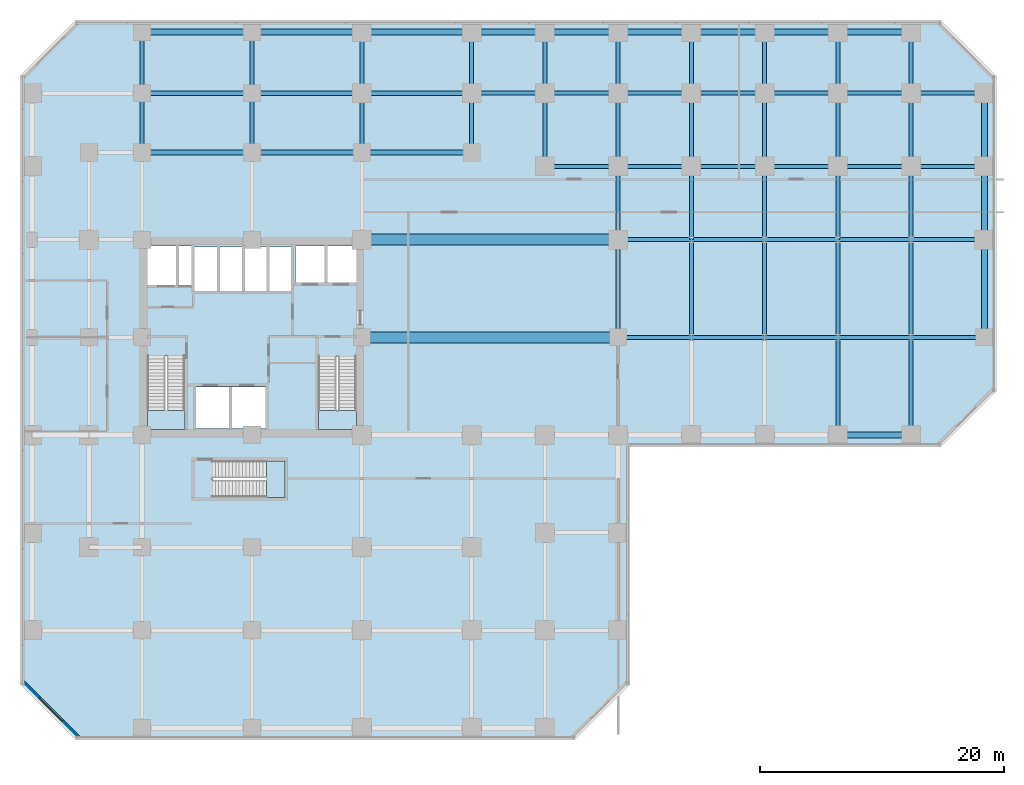
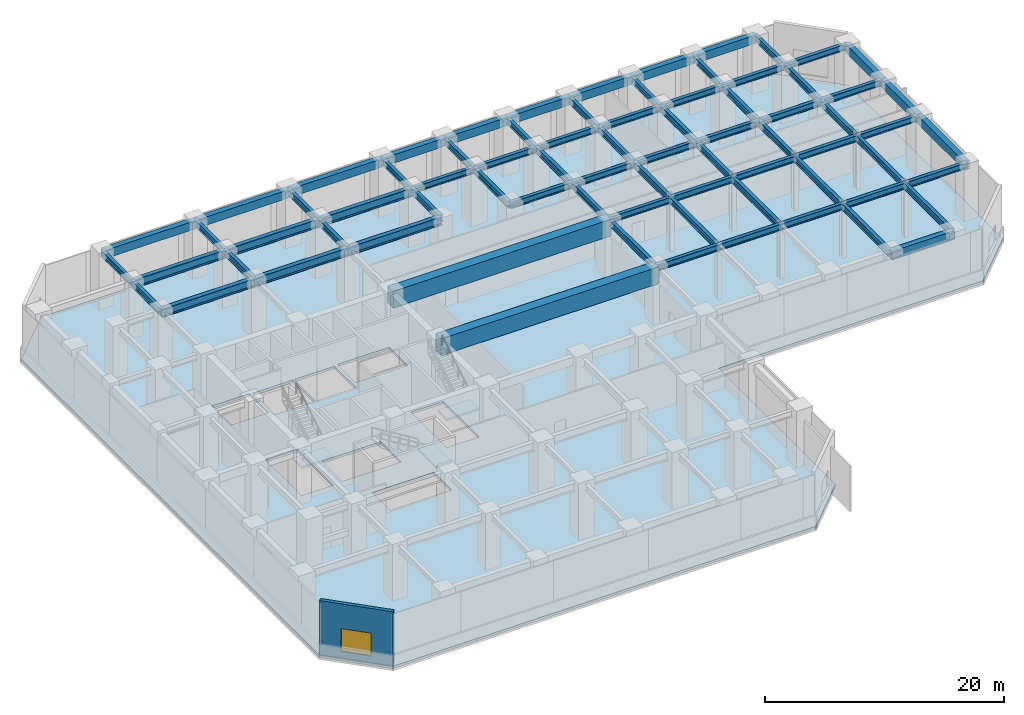
# One storey, part 2 of 12: 76 beams, 4 slabs, 1 wall, 1 window, 1 opening, 3 elements without a shape of their own.
"""IFC4 building model written with IfcOpenShell, lengths in metres."""

import ifcopenshell
import ifcopenshell.guid

model = None  # the IFC model being written
_history = None  # IfcOwnerHistory: only IFC2X3 demands one
_inside = {}  # id of a spatial element -> (the spatial element, [elements in it])
_under = {}  # id of a project, library or spatial element -> (it, [spatial elements below it])
_declared = {}  # id of a project -> (the project, [libraries it declares])
_typed = {}  # id of a type object -> (the type object, [elements of that type])
_made_of = {}  # id of a material, layer set ... -> (it, [elements and type objects made of it])


def new_model(schema):
    """Start an empty IFC model of exactly this schema.

    Asked for "IFC4X3", IfcOpenShell would pick the latest addendum, in which some entities
    have other attributes; the version numbers below select the first issue.
    IFC2X3 requires an IfcOwnerHistory on every rooted entity: one is made here for all.
    """
    global model, _history
    if schema == "IFC4X3":
        model = ifcopenshell.file(schema_version=(4, 3, 0, 0))
    else:
        model = ifcopenshell.file(schema=schema)
    _inside.clear()
    _under.clear()
    _declared.clear()
    _typed.clear()
    _made_of.clear()
    _history = None
    if model.schema == "IFC2X3":
        org = make("IfcOrganization", Name="unknown")
        user = make(
            "IfcPersonAndOrganization",
            ThePerson=make("IfcPerson", FamilyName="unknown"),
            TheOrganization=org,
        )
        app = make(
            "IfcApplication",
            ApplicationDeveloper=org,
            Version="unknown",
            ApplicationFullName="unknown",
            ApplicationIdentifier="unknown",
        )
        _history = make(
            "IfcOwnerHistory",
            OwningUser=user,
            OwningApplication=app,
            ChangeAction="ADDED",
            CreationDate=0,
        )
    return model


def make(cls, **values):
    """One entity of the class cls with the attributes given. An attribute that is None is left unset."""
    return model.create_entity(
        cls, **{name: value for name, value in values.items() if value is not None}
    )


def rooted(cls, **values):
    """An entity with a GlobalId (a new one), such as an element, a storey or a relation."""
    return make(cls, GlobalId=ifcopenshell.guid.new(), OwnerHistory=_history, **values)


def si_unit(unit_type, name, prefix=None):
    """IfcSIUnit, for example si_unit("LENGTHUNIT", "METRE", prefix="MILLI")."""
    return make("IfcSIUnit", UnitType=unit_type, Prefix=prefix, Name=name)


def assignment(units):
    """IfcUnitAssignment: the units of a project."""
    return None if units is None else make("IfcUnitAssignment", Units=units)


def point(xyz):
    """IfcCartesianPoint."""
    return None if xyz is None else make("IfcCartesianPoint", Coordinates=xyz)


def direction(xyz):
    """IfcDirection."""
    return None if xyz is None else make("IfcDirection", DirectionRatios=xyz)


def frame(location, z_axis=None, x_axis=None):
    """IfcAxis2Placement3D, a coordinate frame: its origin and axes. An axis left out is left unset."""
    return make(
        "IfcAxis2Placement3D",
        Location=point(location),
        Axis=direction(z_axis),
        RefDirection=direction(x_axis),
    )


def frame_2d(location, x_axis=None):
    """IfcAxis2Placement2D, a coordinate frame in the plane: its origin and x axis."""
    return make(
        "IfcAxis2Placement2D", Location=point(location), RefDirection=direction(x_axis)
    )


def origin():
    """The frame at (0, 0, 0) with its axes left unset."""
    return frame((0.0, 0.0, 0.0))


def origin_2d():
    """The frame at (0, 0) in the plane with its x axis left unset."""
    return frame_2d((0.0, 0.0))


def place(relative_to, where):
    """IfcLocalPlacement: puts the frame where relative to a parent placement (None: the world)."""
    return make(
        "IfcLocalPlacement", PlacementRelTo=relative_to, RelativePlacement=where
    )


def context(
    kind, dimensions, precision=None, world=None, true_north=None, identifier=None
):
    """IfcGeometricRepresentationContext, for example the 3D "Model" context."""
    return make(
        "IfcGeometricRepresentationContext",
        ContextIdentifier=identifier,
        ContextType=kind,
        CoordinateSpaceDimension=dimensions,
        Precision=precision,
        WorldCoordinateSystem=world,
        TrueNorth=true_north,
    )


def subcontext(parent, identifier, kind, view, scale=None):
    """IfcGeometricRepresentationSubContext, for example "Body" below "Model"."""
    return make(
        "IfcGeometricRepresentationSubContext",
        ContextIdentifier=identifier,
        ContextType=kind,
        ParentContext=parent,
        TargetScale=scale,
        TargetView=view,
    )


def project(units=None, contexts=None):
    """IfcProject with its units and contexts."""
    return rooted(
        "IfcProject",
        Name="project",
        RepresentationContexts=contexts,
        UnitsInContext=assignment(units),
    )


def spatial(cls, under=None, at=None, **own):
    """A site, building, storey or space (cls), placed at a placement, below another one or the project."""
    s = rooted(cls, ObjectPlacement=at, **own)
    if under is not None:
        _under.setdefault(under.id(), (under, []))[1].append(s)
    return s


def polyline(points):
    """IfcPolyline through the points."""
    return make("IfcPolyline", Points=[point(p) for p in points])


def profile(cls, at=None, kind="AREA", **sizes):
    """A parametric profile (cls). Its sizes go by their IFC names, for example OverallWidth=200.0."""
    return make(cls, ProfileType=kind, Position=at, **sizes)


def rectangle(**sizes):
    """IfcRectangleProfileDef."""
    return profile("IfcRectangleProfileDef", **sizes)


def i_section(**sizes):
    """IfcIShapeProfileDef."""
    return profile("IfcIShapeProfileDef", **sizes)


def outline(outer, holes=None, kind="AREA"):
    """IfcArbitraryClosedProfileDef: a profile drawn as a closed curve; with holes, ...WithVoids."""
    if holes is None:
        return make("IfcArbitraryClosedProfileDef", ProfileType=kind, OuterCurve=outer)
    return make(
        "IfcArbitraryProfileDefWithVoids",
        ProfileType=kind,
        OuterCurve=outer,
        InnerCurves=holes,
    )


def extrude(swept, where, along, depth):
    """IfcExtrudedAreaSolid: the profile swept, set in the frame where, extruded along a direction by depth."""
    return make(
        "IfcExtrudedAreaSolid",
        SweptArea=swept,
        Position=where,
        ExtrudedDirection=direction(along),
        Depth=depth,
    )


def shape(context_of_items, identifier, shape_type, items):
    """IfcShapeRepresentation: the items that make up one representation, for example the "Body"."""
    return make(
        "IfcShapeRepresentation",
        ContextOfItems=context_of_items,
        RepresentationIdentifier=identifier,
        RepresentationType=shape_type,
        Items=items,
    )


def source(mapping_origin, context_of_items, identifier, shape_type, items):
    """IfcRepresentationMap: a shape defined once, which mapped items show again and again."""
    return make(
        "IfcRepresentationMap",
        MappingOrigin=mapping_origin,
        MappedRepresentation=shape(context_of_items, identifier, shape_type, items),
    )


def transform(
    local_origin,
    x_axis=None,
    y_axis=None,
    z_axis=None,
    scale=None,
    scale2=None,
    scale3=None,
    uniform=True,
):
    """IfcCartesianTransformationOperator3D, or its non-uniform kind. x_axis, y_axis, z_axis: its Axis1, 2, 3."""
    if uniform:
        return make(
            "IfcCartesianTransformationOperator3D",
            Axis1=direction(x_axis),
            Axis2=direction(y_axis),
            LocalOrigin=point(local_origin),
            Scale=scale,
            Axis3=direction(z_axis),
        )
    return make(
        "IfcCartesianTransformationOperator3DnonUniform",
        Axis1=direction(x_axis),
        Axis2=direction(y_axis),
        LocalOrigin=point(local_origin),
        Scale=scale,
        Axis3=direction(z_axis),
        Scale2=scale2,
        Scale3=scale3,
    )


def mapped(mapping_source, mapping_target):
    """IfcMappedItem: shows the shape of a source again, moved by a transform."""
    return make(
        "IfcMappedItem", MappingSource=mapping_source, MappingTarget=mapping_target
    )


def material(Name=None, Category=None):
    """IfcMaterial."""
    return make("IfcMaterial", Name=Name, Category=Category)


def layer(
    of_material, thickness, ventilated=None, Name=None, Category=None, Priority=None
):
    """IfcMaterialLayer: one layer of a wall or slab, of a material (None: an air gap)."""
    return make(
        "IfcMaterialLayer",
        Material=of_material,
        LayerThickness=thickness,
        IsVentilated=ventilated,
        Name=Name,
        Category=Category,
        Priority=Priority,
    )


def layer_set(layers, Name=None):
    """IfcMaterialLayerSet."""
    return make("IfcMaterialLayerSet", MaterialLayers=layers, LayerSetName=Name)


def material_profile(
    of_material, cross_section, Name=None, Category=None, Priority=None
):
    """IfcMaterialProfile: a cross section and its material."""
    return make(
        "IfcMaterialProfile",
        Name=Name,
        Material=of_material,
        Profile=cross_section,
        Priority=Priority,
        Category=Category,
    )


def profile_set(profiles, Name=None, composite=None):
    """IfcMaterialProfileSet."""
    return make(
        "IfcMaterialProfileSet",
        Name=Name,
        MaterialProfiles=profiles,
        CompositeProfile=composite,
    )


def made_of(thing, what):
    """Note that an element or type object is made of a material, layer set ...; save() writes the relation."""
    if what is not None:
        _made_of.setdefault(what.id(), (what, []))[1].append(thing)
    return thing


def type_object(cls, material=None, **own):
    """A type object (cls), such as IfcWallType, which elements share."""
    return made_of(rooted(cls, **own), material)


def element(
    cls,
    number,
    at=None,
    inside=None,
    cuts=None,
    type_object=None,
    material=None,
    context=None,
    identifier="Body",
    shape_type=None,
    held_by="IfcProductDefinitionShape",
    body=None,
    shapes=None,
    **own,
):
    """One element of the class cls, such as IfcWall. Its Tag is "e" and its number.

    at: its placement. inside: the storey or other place that contains it. cuts: it is an
    opening in that element (IfcRelVoidsElement). A single representation is given by context,
    identifier, shape_type and body (its items); several are given by shapes. held_by: the class
    of the entity that holds the representations. save() writes the other relations.
    """
    e = rooted(cls, Tag="e%d" % number, ObjectPlacement=at, **own)
    if body is not None:
        shapes = [shape(context, identifier, shape_type, body)]
    if shapes is not None:
        e.Representation = make(held_by, Representations=shapes)
    if inside is not None:
        _inside.setdefault(inside.id(), (inside, []))[1].append(e)
    if cuts is not None:
        rooted(
            "IfcRelVoidsElement", RelatingBuildingElement=cuts, RelatedOpeningElement=e
        )
    if type_object is not None:
        _typed.setdefault(type_object.id(), (type_object, []))[1].append(e)
    return made_of(e, material)


def fill(opening, filler):
    """IfcRelFillsElement: the door or window that sits in an opening."""
    return rooted(
        "IfcRelFillsElement",
        RelatingOpeningElement=opening,
        RelatedBuildingElement=filler,
    )


def aggregate(whole, parts):
    """IfcRelAggregates: a whole, such as a stair, and the parts it consists of."""
    return rooted("IfcRelAggregates", RelatingObject=whole, RelatedObjects=parts)


def save(model, path):
    """Write the relations noted so far, then the file.

    IfcRelAggregates (storeys below a building ...), IfcRelContainedInSpatialStructure (elements
    in a storey), IfcRelDefinesByType, IfcRelAssociatesMaterial and IfcRelDeclares: one each for
    every whole, place, type object, material and project.
    """
    for whole, parts in _under.values():
        aggregate(whole, parts)
    for where, things in _inside.values():
        rooted(
            "IfcRelContainedInSpatialStructure",
            RelatedElements=things,
            RelatingStructure=where,
        )
    for kind, things in _typed.values():
        rooted("IfcRelDefinesByType", RelatedObjects=things, RelatingType=kind)
    for what, things in _made_of.values():
        rooted("IfcRelAssociatesMaterial", RelatedObjects=things, RelatingMaterial=what)
    for by, libraries in _declared.values():
        rooted("IfcRelDeclares", RelatingContext=by, RelatedDefinitions=libraries)
    model.write(path)


model = new_model("IFC4")

# Units and contexts
model_context = context("Model", 3, precision=1e-05, world=origin(), true_north=direction((0.0, 1.0)))
body_context = subcontext(model_context, "Body", "Model", "MODEL_VIEW")
ifc_project = project(units=[si_unit("LENGTHUNIT", "METRE"), si_unit("AREAUNIT", "SQUARE_METRE"), si_unit("VOLUMEUNIT", "CUBIC_METRE"), si_unit("PLANEANGLEUNIT", "RADIAN"), si_unit("MASSUNIT", "GRAM", prefix="KILO")], contexts=[model_context])

# Site, building, storey
site_placement = place(None, origin())
site = spatial("IfcSite", under=ifc_project, at=site_placement, CompositionType="ELEMENT")
building_placement = place(site_placement, origin())
building = spatial("IfcBuilding", under=site, at=building_placement, Name="Torre Montelarca", CompositionType="ELEMENT")
storey_placement = place(building_placement, frame((0.0, 0.0, 22.199951171875)))
storey = spatial("IfcBuildingStorey", under=building, at=storey_placement, Name="L05", CompositionType="ELEMENT", Elevation=22.199951171875)

# Beams
ifc_material_1 = material(Name="Concrete C55/67", Category="concrete")
ifc_material_profile_1 = material_profile(ifc_material_1, rectangle(XDim=0.5, YDim=0.85009765625, at=origin_2d()), Name="RCB500X850", Category="concrete")
ifc_profile_set_1 = profile_set([ifc_material_profile_1], Name="Concrete C55/67")
beam_type_1 = type_object("IfcBeamType", Name="BM-SP-RC850-EXT", PredefinedType="SPANDREL", material=ifc_profile_set_1)
shared_shape_1 = source(origin(), body_context, "Body", "SweptSolid", [
    extrude(rectangle(XDim=0.5, YDim=0.85009765625, at=origin_2d()), origin(), (0.0, 0.0, 1.0), 9.0),
])
for number, where, z_axis, x_axis, name in (
    (1, (9.0, 57.0, 5.094970703125), (1.0, 0.0, 0.0), (0.0, 1.0, 0.0), "L05 Grid Girder X 9.0-18.0 at Y=57.0"),
    (2, (18.0, 57.0, 5.094970703125), (1.0, 0.0, 0.0), (0.0, 1.0, 0.0), "L05 Grid Girder X 18.0-27.0 at Y=57.0"),
    (3, (27.0, 57.0, 5.094970703125), (1.0, 0.0, 0.0), (0.0, 1.0, 0.0), "L05 Grid Girder X 27.0-36.0 at Y=57.0"),
):
    element("IfcBeam", number, at=place(storey_placement, frame(where, z_axis=z_axis, x_axis=x_axis)), inside=storey, type_object=beam_type_1, Name=name, PredefinedType="SPANDREL", context=body_context, shape_type="MappedRepresentation", body=[
        mapped(shared_shape_1, transform((0.0, 0.0, 0.0), scale=1.0)),
    ])
shared_shape_2 = source(origin(), body_context, "Body", "SweptSolid", [
    extrude(rectangle(XDim=0.5, YDim=0.85009765625, at=origin_2d()), origin(), (0.0, 0.0, 1.0), 6.0),
])
for number, where, z_axis, x_axis, name in (
    (4, (66.0, 24.0, 5.094970703125), (1.0, 0.0, 0.0), (0.0, 1.0, 0.0), "L05 Grid Girder X 66.0-72.0 at Y=24.0"),
    (5, (36.0, 57.0, 5.094970703125), (1.0, 0.0, 0.0), (0.0, 1.0, 0.0), "L05 Grid Girder X 36.0-42.0 at Y=57.0"),
    (6, (42.0, 57.0, 5.094970703125), (1.0, 0.0, 0.0), (0.0, 1.0, 0.0), "L05 Grid Girder X 42.0-48.0 at Y=57.0"),
    (7, (48.0, 57.0, 5.094970703125), (1.0, 0.0, 0.0), (0.0, 1.0, 0.0), "L05 Grid Girder X 48.0-54.0 at Y=57.0"),
    (8, (54.0, 57.0, 5.094970703125), (1.0, 0.0, 0.0), (0.0, 1.0, 0.0), "L05 Grid Girder X 54.0-60.0 at Y=57.0"),
    (9, (60.0, 57.0, 5.094970703125), (1.0, 0.0, 0.0), (0.0, 1.0, 0.0), "L05 Grid Girder X 60.0-66.0 at Y=57.0"),
    (10, (66.0, 57.0, 5.094970703125), (1.0, 0.0, 0.0), (0.0, 1.0, 0.0), "L05 Grid Girder X 66.0-72.0 at Y=57.0"),
    (11, (78.0, 40.0, 5.094970703125), (0.0, 1.0, 0.0), (-1.0, 0.0, 0.0), "L05 Grid Girder Y 40.0-46.0 at X=78.0"),
    (12, (78.0, 46.0, 5.094970703125), (0.0, 1.0, 0.0), (-1.0, 0.0, 0.0), "L05 Grid Girder Y 46.0-52.0 at X=78.0"),
):
    element("IfcBeam", number, at=place(storey_placement, frame(where, z_axis=z_axis, x_axis=x_axis)), inside=storey, type_object=beam_type_1, Name=name, PredefinedType="SPANDREL", context=body_context, shape_type="MappedRepresentation", body=[
        mapped(shared_shape_2, transform((0.0, 0.0, 0.0), scale=1.0)),
    ])
ifc_material_2 = material(Name="Steel ASTM A992 Grade 50", Category="steel")
ifc_material_profile_2 = material_profile(ifc_material_2, i_section(OverallWidth=0.39990234375, OverallDepth=0.85498046875, WebThickness=0.018310546875, FlangeThickness=0.029296875, FilletRadius=0.02001953125, at=origin_2d()), Name="W840X299", Category="steel")
ifc_profile_set_2 = profile_set([ifc_material_profile_2], Name="Steel ASTM A992 Grade 50")
beam_type_2 = type_object("IfcBeamType", Name="BM-G-W840", PredefinedType="BEAM", material=ifc_profile_set_2)
shared_shape_3 = source(origin(), body_context, "Body", "SweptSolid", [
    extrude(i_section(OverallWidth=0.39990234375, OverallDepth=0.85498046875, WebThickness=0.018310546875, FlangeThickness=0.029296875, FilletRadius=0.02001953125, at=origin_2d()), origin(), (0.0, 0.0, 1.0), 9.0),
])
for number, where, z_axis, x_axis, name in (
    (13, (9.0, 47.14990234375, 5.092041015625), (1.0, 0.0, 0.0), (0.0, 1.0, 0.0), "L05 Grid Girder X 9.0-18.0 at Y=47.1"),
    (14, (18.0, 47.14990234375, 5.092041015625), (1.0, 0.0, 0.0), (0.0, 1.0, 0.0), "L05 Grid Girder X 18.0-27.0 at Y=47.1"),
    (15, (27.0, 47.14990234375, 5.092041015625), (1.0, 0.0, 0.0), (0.0, 1.0, 0.0), "L05 Grid Girder X 27.0-36.0 at Y=47.1"),
    (16, (9.0, 52.0, 5.092041015625), (1.0, 0.0, 0.0), (0.0, 1.0, 0.0), "L05 Grid Girder X 9.0-18.0 at Y=52.0"),
    (17, (18.0, 52.0, 5.092041015625), (1.0, 0.0, 0.0), (0.0, 1.0, 0.0), "L05 Grid Girder X 18.0-27.0 at Y=52.0"),
    (18, (27.0, 52.0, 5.092041015625), (1.0, 0.0, 0.0), (0.0, 1.0, 0.0), "L05 Grid Girder X 27.0-36.0 at Y=52.0"),
):
    element("IfcBeam", number, at=place(storey_placement, frame(where, z_axis=z_axis, x_axis=x_axis)), inside=storey, type_object=beam_type_2, Name=name, PredefinedType="BEAM", context=body_context, shape_type="MappedRepresentation", body=[
        mapped(shared_shape_3, transform((0.0, 0.0, 0.0), scale=1.0)),
    ])
ifc_material_profile_3 = material_profile(ifc_material_2, i_section(OverallWidth=0.326904296875, OverallDepth=0.6220703125, WebThickness=0.015380859375, FlangeThickness=0.0244140625, FilletRadius=0.014892578125, at=origin_2d()), Name="W610X195", Category="steel")
ifc_profile_set_3 = profile_set([ifc_material_profile_3], Name="Steel ASTM A992 Grade 50")
beam_type_3 = type_object("IfcBeamType", Name="BM-G-W610H", PredefinedType="BEAM", material=ifc_profile_set_3)
shared_shape_4 = source(origin(), body_context, "Body", "SweptSolid", [
    extrude(i_section(OverallWidth=0.326904296875, OverallDepth=0.6220703125, WebThickness=0.015380859375, FlangeThickness=0.0244140625, FilletRadius=0.014892578125, at=origin_2d()), origin(), (0.0, 0.0, 1.0), 6.0),
])
for number, where, z_axis, x_axis, name in (
    (19, (48.0, 32.0, 5.208984375), (1.0, 0.0, 0.0), (0.0, 1.0, 0.0), "L05 Grid Girder X 48.0-54.0 at Y=32.0"),
    (20, (54.0, 32.0, 5.208984375), (1.0, 0.0, 0.0), (0.0, 1.0, 0.0), "L05 Grid Girder X 54.0-60.0 at Y=32.0"),
    (21, (60.0, 32.0, 5.208984375), (1.0, 0.0, 0.0), (0.0, 1.0, 0.0), "L05 Grid Girder X 60.0-66.0 at Y=32.0"),
    (22, (66.0, 32.0, 5.208984375), (1.0, 0.0, 0.0), (0.0, 1.0, 0.0), "L05 Grid Girder X 66.0-72.0 at Y=32.0"),
    (23, (72.0, 32.0, 5.208984375), (1.0, 0.0, 0.0), (0.0, 1.0, 0.0), "L05 Grid Girder X 72.0-78.0 at Y=32.0"),
    (24, (48.0, 40.0, 5.208984375), (1.0, 0.0, 0.0), (0.0, 1.0, 0.0), "L05 Grid Girder X 48.0-54.0 at Y=40.0"),
    (25, (54.0, 40.0, 5.208984375), (1.0, 0.0, 0.0), (0.0, 1.0, 0.0), "L05 Grid Girder X 54.0-60.0 at Y=40.0"),
    (26, (60.0, 40.0, 5.208984375), (1.0, 0.0, 0.0), (0.0, 1.0, 0.0), "L05 Grid Girder X 60.0-66.0 at Y=40.0"),
    (27, (66.0, 40.0, 5.208984375), (1.0, 0.0, 0.0), (0.0, 1.0, 0.0), "L05 Grid Girder X 66.0-72.0 at Y=40.0"),
    (28, (72.0, 40.0, 5.208984375), (1.0, 0.0, 0.0), (0.0, 1.0, 0.0), "L05 Grid Girder X 72.0-78.0 at Y=40.0"),
    (29, (42.0, 46.0, 5.208984375), (1.0, 0.0, 0.0), (0.0, 1.0, 0.0), "L05 Grid Girder X 42.0-48.0 at Y=46.0"),
    (30, (48.0, 46.0, 5.208984375), (1.0, 0.0, 0.0), (0.0, 1.0, 0.0), "L05 Grid Girder X 48.0-54.0 at Y=46.0"),
    (31, (54.0, 46.0, 5.208984375), (1.0, 0.0, 0.0), (0.0, 1.0, 0.0), "L05 Grid Girder X 54.0-60.0 at Y=46.0"),
    (32, (60.0, 46.0, 5.208984375), (1.0, 0.0, 0.0), (0.0, 1.0, 0.0), "L05 Grid Girder X 60.0-66.0 at Y=46.0"),
    (33, (66.0, 46.0, 5.208984375), (1.0, 0.0, 0.0), (0.0, 1.0, 0.0), "L05 Grid Girder X 66.0-72.0 at Y=46.0"),
    (34, (72.0, 46.0, 5.208984375), (1.0, 0.0, 0.0), (0.0, 1.0, 0.0), "L05 Grid Girder X 72.0-78.0 at Y=46.0"),
    (35, (36.0, 52.0, 5.208984375), (1.0, 0.0, 0.0), (0.0, 1.0, 0.0), "L05 Grid Girder X 36.0-42.0 at Y=52.0"),
    (36, (42.0, 52.0, 5.208984375), (1.0, 0.0, 0.0), (0.0, 1.0, 0.0), "L05 Grid Girder X 42.0-48.0 at Y=52.0"),
    (37, (48.0, 52.0, 5.208984375), (1.0, 0.0, 0.0), (0.0, 1.0, 0.0), "L05 Grid Girder X 48.0-54.0 at Y=52.0"),
    (38, (54.0, 52.0, 5.208984375), (1.0, 0.0, 0.0), (0.0, 1.0, 0.0), "L05 Grid Girder X 54.0-60.0 at Y=52.0"),
    (39, (60.0, 52.0, 5.208984375), (1.0, 0.0, 0.0), (0.0, 1.0, 0.0), "L05 Grid Girder X 60.0-66.0 at Y=52.0"),
    (40, (66.0, 52.0, 5.208984375), (1.0, 0.0, 0.0), (0.0, 1.0, 0.0), "L05 Grid Girder X 66.0-72.0 at Y=52.0"),
    (41, (72.0, 52.0, 5.208984375), (1.0, 0.0, 0.0), (0.0, 1.0, 0.0), "L05 Grid Girder X 72.0-78.0 at Y=52.0"),
    (42, (42.0, 46.0, 5.208984375), (0.0, 1.0, 0.0), (-1.0, 0.0, 0.0), "L05 Grid Girder Y 46.0-52.0 at X=42.0"),
    (43, (48.0, 40.0, 5.208984375), (0.0, 1.0, 0.0), (-1.0, 0.0, 0.0), "L05 Grid Girder Y 40.0-46.0 at X=48.0"),
    (44, (48.0, 46.0, 5.208984375), (0.0, 1.0, 0.0), (-1.0, 0.0, 0.0), "L05 Grid Girder Y 46.0-52.0 at X=48.0"),
    (45, (54.0, 40.0, 5.208984375), (0.0, 1.0, 0.0), (-1.0, 0.0, 0.0), "L05 Grid Girder Y 40.0-46.0 at X=54.0"),
    (46, (54.0, 46.0, 5.208984375), (0.0, 1.0, 0.0), (-1.0, 0.0, 0.0), "L05 Grid Girder Y 46.0-52.0 at X=54.0"),
    (47, (60.0, 40.0, 5.208984375), (0.0, 1.0, 0.0), (-1.0, 0.0, 0.0), "L05 Grid Girder Y 40.0-46.0 at X=60.0"),
    (48, (60.0, 46.0, 5.208984375), (0.0, 1.0, 0.0), (-1.0, 0.0, 0.0), "L05 Grid Girder Y 46.0-52.0 at X=60.0"),
    (49, (66.0, 40.0, 5.208984375), (0.0, 1.0, 0.0), (-1.0, 0.0, 0.0), "L05 Grid Girder Y 40.0-46.0 at X=66.0"),
    (50, (66.0, 46.0, 5.208984375), (0.0, 1.0, 0.0), (-1.0, 0.0, 0.0), "L05 Grid Girder Y 46.0-52.0 at X=66.0"),
    (51, (72.0, 40.0, 5.208984375), (0.0, 1.0, 0.0), (-1.0, 0.0, 0.0), "L05 Grid Girder Y 40.0-46.0 at X=72.0"),
    (52, (72.0, 46.0, 5.208984375), (0.0, 1.0, 0.0), (-1.0, 0.0, 0.0), "L05 Grid Girder Y 46.0-52.0 at X=72.0"),
):
    element("IfcBeam", number, at=place(storey_placement, frame(where, z_axis=z_axis, x_axis=x_axis)), inside=storey, type_object=beam_type_3, Name=name, PredefinedType="BEAM", context=body_context, shape_type="MappedRepresentation", body=[
        mapped(shared_shape_4, transform((0.0, 0.0, 0.0), scale=1.0)),
    ])
shared_shape_5 = source(origin(), body_context, "Body", "SweptSolid", [
    extrude(rectangle(XDim=0.5, YDim=0.85009765625, at=origin_2d()), origin(), (0.0, 0.0, 1.0), 8.0),
])
beam_placement = place(storey_placement, frame((78.0, 32.0, 5.094970703125), z_axis=(0.0, 1.0, 0.0), x_axis=(-1.0, 0.0, 0.0)))
element("IfcBeam", 53, at=beam_placement, inside=storey, type_object=beam_type_1, Name="L05 Grid Girder Y 32.0-40.0 at X=78.0", PredefinedType="SPANDREL", context=body_context, shape_type="MappedRepresentation", body=[
    mapped(shared_shape_5, transform((0.0, 0.0, 0.0), scale=1.0)),
])
shared_shape_6 = source(origin(), body_context, "Body", "SweptSolid", [
    extrude(i_section(OverallWidth=0.326904296875, OverallDepth=0.6220703125, WebThickness=0.015380859375, FlangeThickness=0.0244140625, FilletRadius=0.014892578125, at=origin_2d()), origin(), (0.0, 0.0, 1.0), 8.0),
])
for number, where, z_axis, x_axis, name in (
    (54, (48.0, 32.0, 5.208984375), (0.0, 1.0, 0.0), (-1.0, 0.0, 0.0), "L05 Grid Girder Y 32.0-40.0 at X=48.0"),
    (55, (54.0, 32.0, 5.208984375), (0.0, 1.0, 0.0), (-1.0, 0.0, 0.0), "L05 Grid Girder Y 32.0-40.0 at X=54.0"),
    (56, (60.0, 32.0, 5.208984375), (0.0, 1.0, 0.0), (-1.0, 0.0, 0.0), "L05 Grid Girder Y 32.0-40.0 at X=60.0"),
    (57, (66.0, 24.0, 5.208984375), (0.0, 1.0, 0.0), (-1.0, 0.0, 0.0), "L05 Grid Girder Y 24.0-32.0 at X=66.0"),
    (58, (66.0, 32.0, 5.208984375), (0.0, 1.0, 0.0), (-1.0, 0.0, 0.0), "L05 Grid Girder Y 32.0-40.0 at X=66.0"),
    (59, (72.0, 24.0, 5.208984375), (0.0, 1.0, 0.0), (-1.0, 0.0, 0.0), "L05 Grid Girder Y 24.0-32.0 at X=72.0"),
    (60, (72.0, 32.0, 5.208984375), (0.0, 1.0, 0.0), (-1.0, 0.0, 0.0), "L05 Grid Girder Y 32.0-40.0 at X=72.0"),
):
    element("IfcBeam", number, at=place(storey_placement, frame(where, z_axis=z_axis, x_axis=x_axis)), inside=storey, type_object=beam_type_3, Name=name, PredefinedType="BEAM", context=body_context, shape_type="MappedRepresentation", body=[
        mapped(shared_shape_6, transform((0.0, 0.0, 0.0), scale=1.0)),
    ])
shared_shape_7 = source(origin(), body_context, "Body", "SweptSolid", [
    extrude(i_section(OverallWidth=0.326904296875, OverallDepth=0.6220703125, WebThickness=0.015380859375, FlangeThickness=0.0244140625, FilletRadius=0.014892578125, at=origin_2d()), origin(), (0.0, 0.0, 1.0), 4.85009765625),
])
for number, where, z_axis, x_axis, name in (
    (61, (9.0, 47.14990234375, 5.208984375), (0.0, 1.0, 0.0), (-1.0, 0.0, 0.0), "L05 Grid Girder Y 47.1-52.0 at X=9.0"),
    (62, (18.0, 47.14990234375, 5.208984375), (0.0, 1.0, 0.0), (-1.0, 0.0, 0.0), "L05 Grid Girder Y 47.1-52.0 at X=18.0"),
    (63, (27.0, 47.14990234375, 5.208984375), (0.0, 1.0, 0.0), (-1.0, 0.0, 0.0), "L05 Grid Girder Y 47.1-52.0 at X=27.0"),
    (64, (36.0, 47.14990234375, 5.208984375), (0.0, 1.0, 0.0), (-1.0, 0.0, 0.0), "L05 Grid Girder Y 47.1-52.0 at X=36.0"),
):
    element("IfcBeam", number, at=place(storey_placement, frame(where, z_axis=z_axis, x_axis=x_axis)), inside=storey, type_object=beam_type_3, Name=name, PredefinedType="BEAM", context=body_context, shape_type="MappedRepresentation", body=[
        mapped(shared_shape_7, transform((0.0, 0.0, 0.0), scale=1.0)),
    ])
shared_shape_8 = source(origin(), body_context, "Body", "SweptSolid", [
    extrude(i_section(OverallWidth=0.326904296875, OverallDepth=0.6220703125, WebThickness=0.015380859375, FlangeThickness=0.0244140625, FilletRadius=0.014892578125, at=origin_2d()), origin(), (0.0, 0.0, 1.0), 5.0),
])
for number, where, z_axis, x_axis, name in (
    (65, (9.0, 52.0, 5.208984375), (0.0, 1.0, 0.0), (-1.0, 0.0, 0.0), "L05 Grid Girder Y 52.0-57.0 at X=9.0"),
    (66, (18.0, 52.0, 5.208984375), (0.0, 1.0, 0.0), (-1.0, 0.0, 0.0), "L05 Grid Girder Y 52.0-57.0 at X=18.0"),
    (67, (27.0, 52.0, 5.208984375), (0.0, 1.0, 0.0), (-1.0, 0.0, 0.0), "L05 Grid Girder Y 52.0-57.0 at X=27.0"),
    (68, (36.0, 52.0, 5.208984375), (0.0, 1.0, 0.0), (-1.0, 0.0, 0.0), "L05 Grid Girder Y 52.0-57.0 at X=36.0"),
    (69, (42.0, 52.0, 5.208984375), (0.0, 1.0, 0.0), (-1.0, 0.0, 0.0), "L05 Grid Girder Y 52.0-57.0 at X=42.0"),
    (70, (48.0, 52.0, 5.208984375), (0.0, 1.0, 0.0), (-1.0, 0.0, 0.0), "L05 Grid Girder Y 52.0-57.0 at X=48.0"),
    (71, (54.0, 52.0, 5.208984375), (0.0, 1.0, 0.0), (-1.0, 0.0, 0.0), "L05 Grid Girder Y 52.0-57.0 at X=54.0"),
    (72, (60.0, 52.0, 5.208984375), (0.0, 1.0, 0.0), (-1.0, 0.0, 0.0), "L05 Grid Girder Y 52.0-57.0 at X=60.0"),
    (73, (66.0, 52.0, 5.208984375), (0.0, 1.0, 0.0), (-1.0, 0.0, 0.0), "L05 Grid Girder Y 52.0-57.0 at X=66.0"),
    (74, (72.0, 52.0, 5.208984375), (0.0, 1.0, 0.0), (-1.0, 0.0, 0.0), "L05 Grid Girder Y 52.0-57.0 at X=72.0"),
):
    element("IfcBeam", number, at=place(storey_placement, frame(where, z_axis=z_axis, x_axis=x_axis)), inside=storey, type_object=beam_type_3, Name=name, PredefinedType="BEAM", context=body_context, shape_type="MappedRepresentation", body=[
        mapped(shared_shape_8, transform((0.0, 0.0, 0.0), scale=1.0)),
    ])
ifc_material_profile_4 = material_profile(ifc_material_1, rectangle(XDim=0.89990234375, YDim=1.699951171875, at=origin_2d()), Name="RCB900X1700", Category="concrete")
ifc_profile_set_4 = profile_set([ifc_material_profile_4], Name="Concrete C55/67")
beam_type_4 = type_object("IfcBeamType", Name="BM-TB-RC1700", PredefinedType="T_BEAM", material=ifc_profile_set_4)
shared_shape_9 = source(origin(), body_context, "Body", "SweptSolid", [
    extrude(rectangle(XDim=0.89990234375, YDim=1.699951171875, at=origin_2d()), origin(), (0.0, 0.0, 1.0), 21.0),
])
for number, where, z_axis, x_axis, name in (
    (75, (27.0, 32.0, 4.670166015625), (1.0, 0.0, 0.0), (0.0, 1.0, 0.0), "L05 Long-Span Hall T-Beam Y=32m"),
    (76, (27.0, 40.0, 4.670166015625), (1.0, 0.0, 0.0), (0.0, 1.0, 0.0), "L05 Long-Span Hall T-Beam Y=40m"),
):
    element("IfcBeam", number, at=place(storey_placement, frame(where, z_axis=z_axis, x_axis=x_axis)), inside=storey, type_object=beam_type_4, Name=name, PredefinedType="T_BEAM", context=body_context, shape_type="MappedRepresentation", body=[
        mapped(shared_shape_9, transform((0.0, 0.0, 0.0), scale=1.0)),
    ])

# Slab
ifc_material_3 = material(Name="Concrete C40/50", Category="concrete")
ifc_layer_1 = layer(ifc_material_3, 0.260009765625, Name="Concrete C40/50", Category="concrete")
ifc_layer_set_1 = layer_set([ifc_layer_1], Name="Concrete C40/50")
slab_type_1 = type_object("IfcSlabType", Name="SL-FLR-260", PredefinedType="FLOOR", material=ifc_layer_set_1)
slab_1_placement = place(storey_placement, frame((0.0, 0.0, -0.260009765625)))
element("IfcSlab", 77, at=slab_1_placement, inside=storey, type_object=slab_type_1, Name="L05 Structural Floor Slab", PredefinedType="FLOOR", context=body_context, shape_type="SweptSolid", body=[
    extrude(outline(polyline([(44.39990234375, -0.89990234375), (48.89990234375, 3.60009765625), (48.89990234375, 23.10009765625), (74.39990234375, 23.10009765625), (78.89990234375, 27.60009765625), (78.89990234375, 53.39990234375), (74.39990234375, 57.89990234375), (3.60009765625, 57.89990234375), (-0.89990234375, 53.39990234375), (-0.89990234375, 3.60009765625), (3.60009765625, -0.89990234375), (44.39990234375, -0.89990234375)]), holes=[polyline([(20.699951171875, 18.89990234375), (14.760009765625, 18.89990234375), (14.760009765625, 21.889892578125), (20.699951171875, 21.889892578125), (20.699951171875, 18.89990234375)]), polyline([(19.10009765625, 24.550048828125), (13.39990234375, 24.550048828125), (13.39990234375, 27.949951171875), (19.10009765625, 27.949951171875), (19.10009765625, 24.550048828125)]), polyline([(23.43994140625, 24.449951171875), (23.43994140625, 30.429931640625), (26.550048828125, 30.429931640625), (26.550048828125, 24.449951171875), (23.43994140625, 24.449951171875)]), polyline([(9.449951171875, 24.449951171875), (9.449951171875, 30.4599609375), (12.5, 30.4599609375), (12.5, 24.449951171875), (9.449951171875, 24.449951171875)]), polyline([(17.25, 35.800048828125), (13.300048828125, 35.800048828125), (13.300048828125, 39.39990234375), (17.25, 39.39990234375), (17.25, 35.800048828125)]), polyline([(21.25, 35.800048828125), (17.39990234375, 35.800048828125), (17.39990234375, 39.39990234375), (21.25, 39.39990234375), (21.25, 35.800048828125)]), polyline([(13.1201171875, 36.300048828125), (9.449951171875, 36.300048828125), (9.449951171875, 39.5), (13.1201171875, 39.5), (13.1201171875, 36.300048828125)]), polyline([(26.60009765625, 36.449951171875), (21.550048828125, 36.449951171875), (21.550048828125, 39.5), (26.60009765625, 39.5), (26.60009765625, 36.449951171875)])]), origin(), (0.0, 0.0, 1.0), 0.260009765625),
])

# Stair, slab
stair_type_1 = type_object("IfcStairType", Name="ST-CORE-ST1", PredefinedType="HALF_TURN_STAIR", material=ifc_material_3)
stair_1_placement = place(storey_placement, origin())
stair_1 = element("IfcStair", 78, at=stair_1_placement, inside=storey, type_object=stair_type_1, Name="L05 Protected Exit Stair ST1", PredefinedType="HALF_TURN_STAIR")
ifc_layer_2 = layer(ifc_material_3, 0.199951171875, Name="Concrete C40/50", Category="concrete")
ifc_layer_set_2 = layer_set([ifc_layer_2], Name="Concrete C40/50")
slab_type_2 = type_object("IfcSlabType", Name="SL-ST-LAND-ST1", PredefinedType="LANDING", material=ifc_layer_set_2)
slab_2_placement = place(storey_placement, frame((0.0, 0.0, 2.699951171875)))
slab_2 = element("IfcSlab", 79, at=slab_2_placement, type_object=slab_type_2, Name="ST1 landing 1", PredefinedType="LANDING", context=body_context, shape_type="SweptSolid", body=[
    extrude(outline(polyline([(9.449951171875, 26.02001953125), (9.449951171875, 24.449951171875), (12.5, 24.449951171875), (12.5, 26.02001953125), (9.449951171875, 26.02001953125)])), origin(), (0.0, 0.0, 1.0), 0.2001953125),
])
aggregate(stair_1, [slab_2])

stair_type_2 = type_object("IfcStairType", Name="ST-CORE-ST2", PredefinedType="HALF_TURN_STAIR", material=ifc_material_3)
stair_2_placement = place(storey_placement, origin())
stair_2 = element("IfcStair", 80, at=stair_2_placement, inside=storey, type_object=stair_type_2, Name="L05 Protected Exit Stair ST2", PredefinedType="HALF_TURN_STAIR")
ifc_layer_3 = layer(ifc_material_3, 0.199951171875, Name="Concrete C40/50", Category="concrete")
ifc_layer_set_3 = layer_set([ifc_layer_3], Name="Concrete C40/50")
slab_type_3 = type_object("IfcSlabType", Name="SL-ST-LAND-ST2", PredefinedType="LANDING", material=ifc_layer_set_3)
slab_3_placement = place(storey_placement, frame((0.0, 0.0, 2.699951171875)))
slab_3 = element("IfcSlab", 81, at=slab_3_placement, type_object=slab_type_3, Name="ST2 landing 1", PredefinedType="LANDING", context=body_context, shape_type="SweptSolid", body=[
    extrude(outline(polyline([(23.43994140625, 25.989990234375), (23.43994140625, 24.449951171875), (26.550048828125, 24.449951171875), (26.550048828125, 25.989990234375), (23.43994140625, 25.989990234375)])), origin(), (0.0, 0.0, 1.0), 0.2001953125),
])
aggregate(stair_2, [slab_3])

stair_type_3 = type_object("IfcStairType", Name="ST-CORE-ST3", PredefinedType="HALF_TURN_STAIR", material=ifc_material_3)
stair_3_placement = place(storey_placement, origin())
stair_3 = element("IfcStair", 82, at=stair_3_placement, inside=storey, type_object=stair_type_3, Name="L05 Low-Rise Exit Stair ST3", PredefinedType="HALF_TURN_STAIR")
ifc_layer_4 = layer(ifc_material_3, 0.199951171875, Name="Concrete C40/50", Category="concrete")
ifc_layer_set_4 = layer_set([ifc_layer_4], Name="Concrete C40/50")
slab_type_4 = type_object("IfcSlabType", Name="SL-ST-LAND-ST3", PredefinedType="LANDING", material=ifc_layer_set_4)
slab_4_placement = place(storey_placement, frame((0.0, 0.0, 2.699951171875)))
slab_4 = element("IfcSlab", 83, at=slab_4_placement, type_object=slab_type_4, Name="ST3 landing 1", PredefinedType="LANDING", context=body_context, shape_type="SweptSolid", body=[
    extrude(outline(polyline([(19.199951171875, 18.89990234375), (20.699951171875, 18.89990234375), (20.699951171875, 21.889892578125), (19.199951171875, 21.889892578125), (19.199951171875, 18.89990234375)])), origin(), (0.0, 0.0, 1.0), 0.2001953125),
])
aggregate(stair_3, [slab_4])

# Wall, opening, window
ifc_material_4 = material(Name="Precast concrete C45/55", Category="concrete")
ifc_layer_5 = layer(ifc_material_4, 0.320068359375, Name="Precast concrete C45/55", Category="concrete")
ifc_layer_set_5 = layer_set([ifc_layer_5], Name="Precast concrete C45/55")
wall_type = type_object("IfcWallType", Name="EW-CONC-320", PredefinedType="SOLIDWALL", material=ifc_layer_set_5)
wall_placement = place(storey_placement, frame((-0.744384765625, 3.755615234375, 0.0), z_axis=(0.0, 0.0, 1.0), x_axis=(0.707106781187, -0.707106781187, 0.0)))
wall = element("IfcWall", 84, at=wall_placement, inside=storey, type_object=wall_type, Name="L05 Podium Precast Concrete Wall E11", PredefinedType="SOLIDWALL", context=body_context, shape_type="SweptSolid", body=[
    extrude(rectangle(XDim=6.364013671875, YDim=0.320068359375, at=frame_2d((3.18212890625, 0.0))), origin(), (0.0, 0.0, 1.0), 5.52001953125),
])
opening_placement = place(wall_placement, frame((1.882080078125, 0.0, 0.64990234375)))
opening = element("IfcOpeningElement", 85, at=opening_placement, cuts=wall, Name="Opening W-01", PredefinedType="OPENING", context=body_context, shape_type="SweptSolid", body=[
    extrude(rectangle(XDim=2.60009765625, YDim=2.35009765625, at=frame_2d((1.300048828125, 1.175048828125))), frame((0.0, 0.169921875, 0.0), z_axis=(0.0, -1.0, 0.0), x_axis=(1.0, 0.0, 0.0)), (0.0, 0.0, 1.0), 0.340087890625),
])
ifc_material_5 = material(Name="Insulated low-E laminated glass in aluminium frame", Category="aluminium")
window_type = type_object("IfcWindowType", Name="WIN-W01", PartitioningType="DOUBLE_PANEL_VERTICAL", PredefinedType="WINDOW", material=ifc_material_5)
shared_shape_10 = source(origin(), body_context, "Body", "SweptSolid", [
    extrude(rectangle(XDim=2.60009765625, YDim=2.35009765625, at=frame_2d((1.300048828125, 1.175048828125))), frame((0.0, 0.030029296875, 0.0), z_axis=(0.0, -1.0, 0.0), x_axis=(1.0, 0.0, 0.0)), (0.0, 0.0, 1.0), 0.06005859375),
])
window_placement = place(opening_placement, origin())
window = element("IfcWindow", 86, at=window_placement, inside=storey, type_object=window_type, Name="L05 Podium Chamfer Feature Window E11", OverallHeight=2.35009765625, OverallWidth=2.60009765625, PartitioningType="DOUBLE_PANEL_VERTICAL", PredefinedType="WINDOW", context=body_context, shape_type="MappedRepresentation", body=[
    mapped(shared_shape_10, transform((0.0, 0.0, 0.0), scale=1.0)),
])
fill(opening, window)

save(model, "model.ifc")
